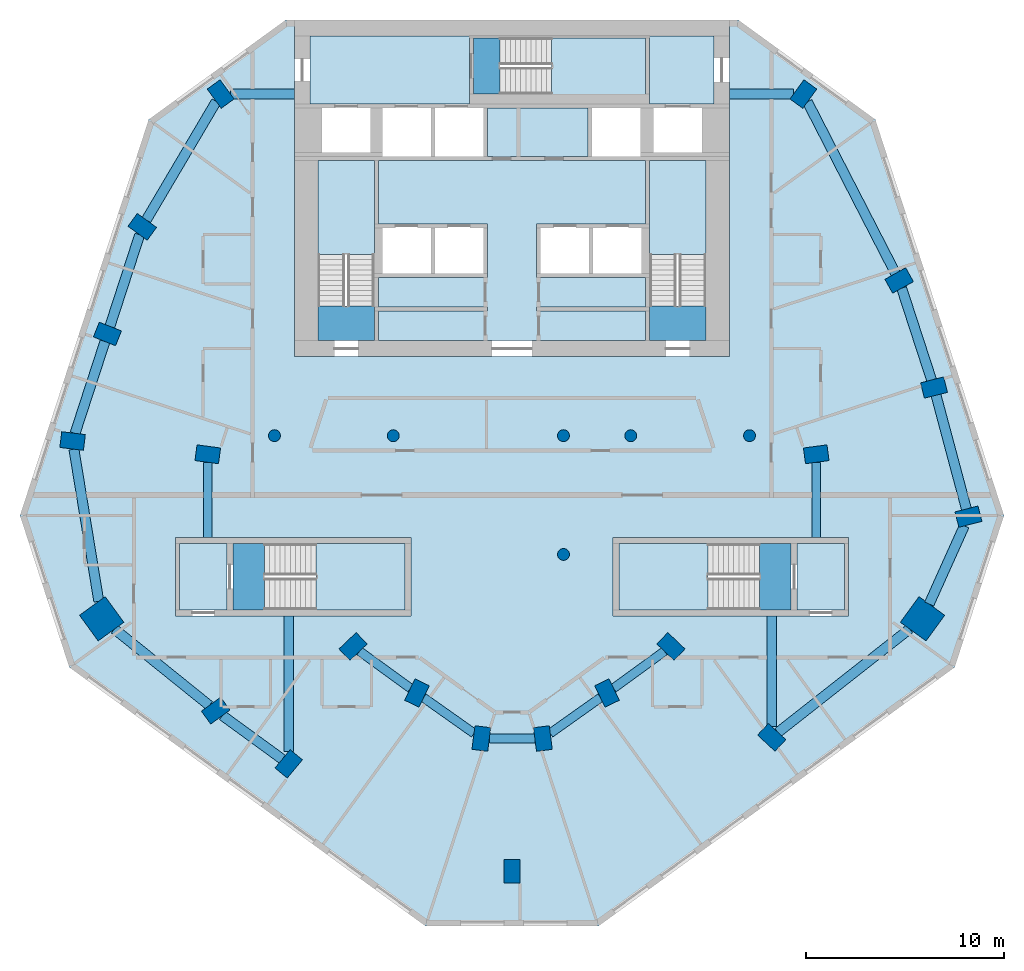
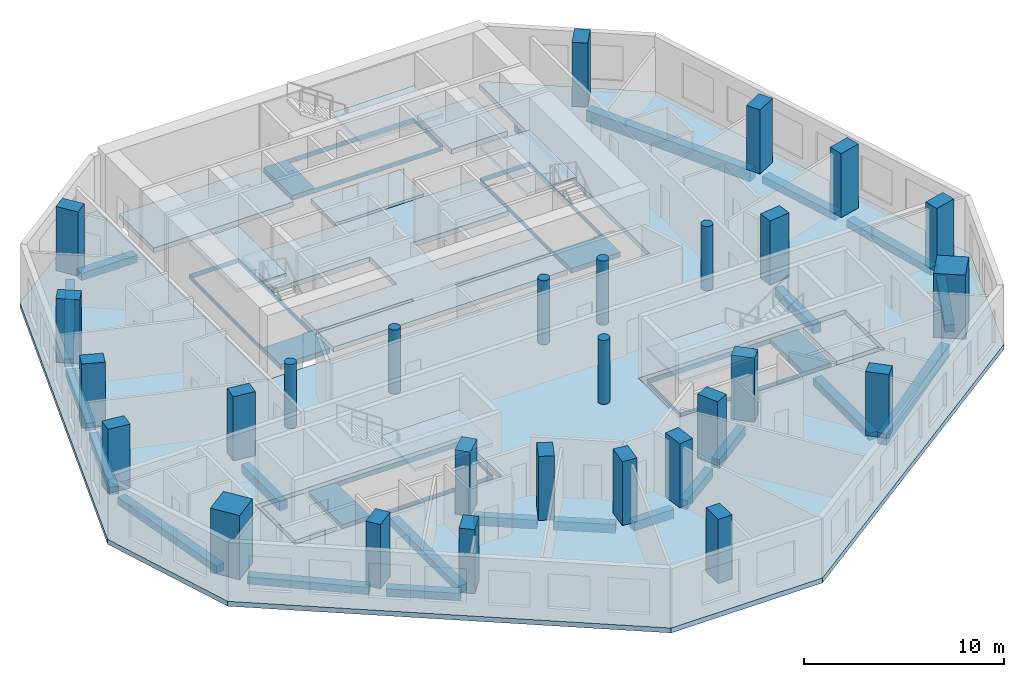
# One storey, part 1 of 9: 28 columns, 22 beams, 17 slabs, 5 elements without a shape of their own.
"""IFC4 building model written with IfcOpenShell, lengths in metres."""

from ifc_helpers import new_model, si_unit, direction, frame, origin, origin_2d, place, context, subcontext, project, spatial, polyline, rectangle, circle, outline, extrude, material, layer, layer_set, material_profile, profile_set, type_object, element, aggregate, save


model = new_model("IFC4")

# Units and contexts
model_context = context("Model", 3, precision=1e-05, world=origin(), true_north=direction((0.0, 1.0)))
body_context = subcontext(model_context, "Body", "Model", "MODEL_VIEW")
ifc_project = project(units=[si_unit("LENGTHUNIT", "METRE"), si_unit("AREAUNIT", "SQUARE_METRE"), si_unit("VOLUMEUNIT", "CUBIC_METRE"), si_unit("PLANEANGLEUNIT", "RADIAN"), si_unit("MASSUNIT", "GRAM", prefix="KILO")], contexts=[model_context])

# Site, building, storey
site_placement = place(None, origin())
site = spatial("IfcSite", under=ifc_project, at=site_placement, CompositionType="ELEMENT")
building_placement = place(site_placement, origin())
building = spatial("IfcBuilding", under=site, at=building_placement, Name="White Candle Pilgrim Tower", CompositionType="ELEMENT")
storey_placement = place(building_placement, frame((0.0, 0.0, 216.0)))
storey = spatial("IfcBuildingStorey", under=building, at=storey_placement, Name="L50", CompositionType="ELEMENT", Elevation=216.0)

# Columns
ifc_material_1 = material(Name="Concrete C70/85", Category="concrete")
ifc_material_profile_1 = material_profile(ifc_material_1, circle(Radius=0.300048828125, at=origin_2d()), Name="RC-COL D600")
ifc_profile_set_1 = profile_set([ifc_material_profile_1], Name="Concrete C70/85")
column_type_1 = type_object("IfcColumnType", Name="Interior column RC-COL D600 C70/85", PredefinedType="COLUMN", material=ifc_profile_set_1)
for number, where, z_axis, x_axis, name in (
    (1, (58.0, 67.0, 0.0), (0.0, 0.0, 1.0), (1.0, 0.0, 0.0), "L50 column I01"),
    (2, (64.0, 67.0, 0.0), (0.0, 0.0, 1.0), (1.0, 0.0, 0.0), "L50 column I02"),
    (3, (72.60009765625, 61.0, 0.0), (0.0, 0.0, 1.0), (1.0, 0.0, 0.0), "L50 column I03"),
    (4, (72.60009765625, 67.0, 0.0), (0.0, 0.0, 1.0), (1.0, 0.0, 0.0), "L50 column I04"),
    (5, (76.0, 67.0, 0.0), (0.0, 0.0, 1.0), (1.0, 0.0, 0.0), "L50 column I05"),
    (6, (82.0, 67.0, 0.0), (0.0, 0.0, 1.0), (1.0, 0.0, 0.0), "L50 column I06"),
):
    element("IfcColumn", number, at=place(storey_placement, frame(where, z_axis=z_axis, x_axis=x_axis)), inside=storey, type_object=column_type_1, Name=name, PredefinedType="COLUMN", context=body_context, shape_type="SweptSolid", body=[
        extrude(circle(Radius=0.300048828125, at=origin_2d()), origin(), (0.0, 0.0, 1.0), 3.89990234375),
    ])
ifc_material_profile_2 = material_profile(ifc_material_1, rectangle(XDim=1.60009765625, YDim=1.60009765625, at=origin_2d()), Name="RC 1600x1600")
ifc_profile_set_2 = profile_set([ifc_material_profile_2], Name="Concrete C70/85")
column_type_2 = type_object("IfcColumnType", Name="Mega column RC 1600x1600 C70/85", PredefinedType="COLUMN", material=ifc_profile_set_2)
for number, where, z_axis, x_axis, name in (
    (7, (49.27001953125, 57.75, 0.0), (0.0, 0.0, 1.0), (-0.809016994375, -0.587785252292, 0.0), "L50 mega column T01"),
    (8, (90.739990234375, 57.75, 0.0), (0.0, 0.0, 1.0), (0.809016994375, -0.587785252292, 0.0), "L50 mega column T06"),
):
    element("IfcColumn", number, at=place(storey_placement, frame(where, z_axis=z_axis, x_axis=x_axis)), inside=storey, type_object=column_type_2, Name=name, PredefinedType="COLUMN", context=body_context, shape_type="SweptSolid", body=[
        extrude(rectangle(XDim=1.60009765625, YDim=1.60009765625, at=origin_2d()), origin(), (0.0, 0.0, 1.0), 3.89990234375),
    ])
ifc_material_profile_3 = material_profile(ifc_material_1, rectangle(XDim=0.800048828125, YDim=1.199951171875, at=origin_2d()), Name="RC-PR 800x1200")
ifc_profile_set_3 = profile_set([ifc_material_profile_3], Name="Concrete C70/85")
column_type_3 = type_object("IfcColumnType", Name="Perimeter column RC-PR 800x1200 C70/85", PredefinedType="COLUMN", material=ifc_profile_set_3)
for number, where, z_axis, x_axis, name in (
    (9, (55.030029296875, 53.110107421875, 0.0), (0.0, 0.0, 1.0), (-0.58846280644, 0.808524288711, 0.0), "L50 column T02"),
    (10, (58.719970703125, 50.419921875, 0.0), (0.0, 0.0, 1.0), (-0.769310358735, 0.638875239733, 0.0), "L50 column T03"),
    (11, (70.0, 45.0, 0.0), (0.0, 0.0, 1.0), (-1.0, 0.0, 0.0), "L50 column T04"),
    (12, (83.1201171875, 51.760009765625, 0.0), (0.0, 0.0, 1.0), (-0.681998360062, -0.731353701619, 0.0), "L50 column T05"),
    (13, (93.06005859375, 62.909912109375, 0.0), (0.0, 0.0, 1.0), (0.246880623275, -0.969045900797, 0.0), "L50 column T07"),
    (14, (91.320068359375, 69.429931640625, 0.0), (0.0, 0.0, 1.0), (0.246880623275, -0.969045900797, 0.0), "L50 column T08"),
    (15, (89.56005859375, 74.840087890625, 0.0), (0.0, 0.0, 1.0), (0.484809620246, -0.874619707139, 0.0), "L50 column T09"),
    (16, (84.719970703125, 84.260009765625, 0.0), (0.0, 0.0, 1.0), (0.80902725304, -0.587771132193, 0.0), "L50 column T10"),
    (17, (55.280029296875, 84.260009765625, 0.0), (0.0, 0.0, 1.0), (0.80902725304, 0.587771132193, 0.0), "L50 column T11"),
    (18, (51.320068359375, 77.550048828125, 0.0), (0.0, 0.0, 1.0), (0.587107285614, 0.809509132239, 0.0), "L50 column T12"),
    (19, (49.56005859375, 72.139892578125, 0.0), (0.0, 0.0, 1.0), (0.369860269472, 0.929087391512, 0.0), "L50 column T13"),
    (20, (47.800048828125, 66.72998046875, 0.0), (0.0, 0.0, 1.0), (0.121869343405, 0.992546151641, 0.0), "L50 column T14"),
):
    element("IfcColumn", number, at=place(storey_placement, frame(where, z_axis=z_axis, x_axis=x_axis)), inside=storey, type_object=column_type_3, Name=name, PredefinedType="COLUMN", context=body_context, shape_type="SweptSolid", body=[
        extrude(rectangle(XDim=0.800048828125, YDim=1.199951171875, at=origin_2d()), origin(), (0.0, 0.0, 1.0), 3.89990234375),
    ])
ifc_material_profile_4 = material_profile(ifc_material_1, rectangle(XDim=0.800048828125, YDim=1.199951171875, at=origin_2d()), Name="RC-PR 800x1200")
ifc_profile_set_4 = profile_set([ifc_material_profile_4], Name="Concrete C70/85")
column_type_4 = type_object("IfcColumnType", Name="Ring column RC-PR 800x1200 C70/85", PredefinedType="COLUMN", material=ifc_profile_set_4)
for number, where, z_axis, x_axis, name in (
    (21, (61.969970703125, 56.35009765625, 0.0), (0.0, 0.0, 1.0), (-0.689872285383, 0.723931094691, 0.0), "L50 column R01"),
    (22, (65.199951171875, 54.0, 0.0), (0.0, 0.0, 1.0), (-0.901689191761, 0.43238478403, 0.0), "L50 column R02"),
    (23, (68.449951171875, 51.699951171875, 0.0), (0.0, 0.0, 1.0), (-0.992092811428, 0.125506388335, 0.0), "L50 column R03"),
    (24, (71.56005859375, 51.699951171875, 0.0), (0.0, 0.0, 1.0), (-0.992092811428, -0.125506388335, 0.0), "L50 column R04"),
    (25, (74.800048828125, 54.0, 0.0), (0.0, 0.0, 1.0), (-0.901689191761, -0.43238478403, 0.0), "L50 column R05"),
    (26, (78.030029296875, 56.35009765625, 0.0), (0.0, 0.0, 1.0), (-0.689872285383, -0.723931094691, 0.0), "L50 column R06"),
    (27, (85.3701171875, 66.06005859375, 0.0), (0.0, 0.0, 1.0), (0.132602381688, -0.991169313675, 0.0), "L50 column R07"),
    (28, (54.6298828125, 66.06005859375, 0.0), (0.0, 0.0, 1.0), (0.132602381688, 0.991169313675, 0.0), "L50 column R08"),
):
    element("IfcColumn", number, at=place(storey_placement, frame(where, z_axis=z_axis, x_axis=x_axis)), inside=storey, type_object=column_type_4, Name=name, PredefinedType="COLUMN", context=body_context, shape_type="SweptSolid", body=[
        extrude(rectangle(XDim=0.800048828125, YDim=1.199951171875, at=origin_2d()), origin(), (0.0, 0.0, 1.0), 3.89990234375),
    ])

# Beams
ifc_material_2 = material(Name="Concrete C50/60", Category="concrete")
ifc_material_profile_5 = material_profile(ifc_material_2, rectangle(XDim=0.449951171875, YDim=0.550048828125, at=origin_2d()), Name="RC-BM 450x550")
ifc_profile_set_5 = profile_set([ifc_material_profile_5], Name="Concrete C50/60")
beam_type_1 = type_object("IfcBeamType", Name="Ring beam RC-BM 450x550 C50/60", PredefinedType="BEAM", material=ifc_profile_set_5)
beam_1_placement = place(storey_placement, frame((62.298828125, 56.11083984375, -0.574951171875), z_axis=(0.808609951168, -0.588345091653, 0.0), x_axis=(0.588345091653, 0.808609951168, 0.0)))
element("IfcBeam", 29, at=beam_1_placement, inside=storey, type_object=beam_type_1, Name="L50 ring beam R01", PredefinedType="BEAM", context=body_context, shape_type="SweptSolid", body=[
    extrude(rectangle(XDim=0.449951171875, YDim=0.550048828125, at=origin_2d()), origin(), (0.0, 0.0, 1.0), 3.18115234375),
])
beam_2_placement = place(storey_placement, frame((65.53125, 53.765625, -0.574951171875), z_axis=(0.816256463166, -0.577689697277, 0.0), x_axis=(0.577689697277, 0.816256463166, 0.0)))
element("IfcBeam", 30, at=beam_2_placement, inside=storey, type_object=beam_type_1, Name="L50 ring beam R02", PredefinedType="BEAM", context=body_context, shape_type="SweptSolid", body=[
    extrude(rectangle(XDim=0.449951171875, YDim=0.550048828125, at=origin_2d()), origin(), (0.0, 0.0, 1.0), 3.122314453125),
])
beam_3_placement = place(storey_placement, frame((68.853271484375, 51.699951171875, -0.574951171875), z_axis=(1.0, 0.0, 0.0), x_axis=(0.0, 1.0, 0.0)))
element("IfcBeam", 31, at=beam_3_placement, inside=storey, type_object=beam_type_1, Name="L50 ring beam R03", PredefinedType="BEAM", context=body_context, shape_type="SweptSolid", body=[
    extrude(rectangle(XDim=0.449951171875, YDim=0.550048828125, at=origin_2d()), origin(), (0.0, 0.0, 1.0), 2.303466796875),
])
beam_4_placement = place(storey_placement, frame((71.929931640625, 51.962646484375, -0.574951171875), z_axis=(0.815419993855, 0.578869789868, 0.0), x_axis=(-0.578869789868, 0.815419993855, 0.0)))
element("IfcBeam", 32, at=beam_4_placement, inside=storey, type_object=beam_type_1, Name="L50 ring beam R04", PredefinedType="BEAM", context=body_context, shape_type="SweptSolid", body=[
    extrude(rectangle(XDim=0.449951171875, YDim=0.550048828125, at=origin_2d()), origin(), (0.0, 0.0, 1.0), 3.11376953125),
])
beam_5_placement = place(storey_placement, frame((75.12890625, 54.2392578125, -0.574951171875), z_axis=(0.808609951168, 0.588345091653, 0.0), x_axis=(-0.588345091653, 0.808609951168, 0.0)))
element("IfcBeam", 33, at=beam_5_placement, inside=storey, type_object=beam_type_1, Name="L50 ring beam R05", PredefinedType="BEAM", context=body_context, shape_type="SweptSolid", body=[
    extrude(rectangle(XDim=0.449951171875, YDim=0.550048828125, at=origin_2d()), origin(), (0.0, 0.0, 1.0), 3.18115234375),
])
for number, where, z_axis, x_axis, name in (
    (34, (85.3701171875, 65.656494140625, -0.574951171875), (0.0, -1.0, 0.0), (1.0, 0.0, 0.0), "L50 ring beam R06"),
    (35, (54.6298828125, 65.656494140625, -0.574951171875), (0.0, -1.0, 0.0), (1.0, 0.0, 0.0), "L50 ring beam R07"),
):
    element("IfcBeam", number, at=place(storey_placement, frame(where, z_axis=z_axis, x_axis=x_axis)), inside=storey, type_object=beam_type_1, Name=name, PredefinedType="BEAM", context=body_context, shape_type="SweptSolid", body=[
        extrude(rectangle(XDim=0.449951171875, YDim=0.550048828125, at=origin_2d()), origin(), (0.0, 0.0, 1.0), 3.806396484375),
    ])
ifc_material_profile_6 = material_profile(ifc_material_2, rectangle(XDim=0.5, YDim=0.449951171875, at=origin_2d()), Name="RC-BM 500x450")
ifc_profile_set_6 = profile_set([ifc_material_profile_6], Name="Concrete C50/60")
beam_type_2 = type_object("IfcBeamType", Name="Spandrel beam RC-BM 500x450 C50/60", PredefinedType="BEAM", material=ifc_profile_set_6)
beam_6_placement = place(storey_placement, frame((49.915283203125, 57.22998046875, -0.52490234375), z_axis=(0.778778136726, -0.62729946099, 0.0), x_axis=(0.62729946099, 0.778778136726, 0.0)))
element("IfcBeam", 36, at=beam_6_placement, inside=storey, type_object=beam_type_2, Name="L50 spandrel beam T01", PredefinedType="BEAM", context=body_context, shape_type="SweptSolid", body=[
    extrude(rectangle(XDim=0.5, YDim=0.449951171875, at=origin_2d()), origin(), (0.0, 0.0, 1.0), 6.153564453125),
])
beam_7_placement = place(storey_placement, frame((55.36962890625, 52.8623046875, -0.52490234375), z_axis=(0.808061834145, -0.58909767628, 0.0), x_axis=(0.58909767628, 0.808061834145, 0.0)))
element("IfcBeam", 37, at=beam_7_placement, inside=storey, type_object=beam_type_2, Name="L50 spandrel beam T02", PredefinedType="BEAM", context=body_context, shape_type="SweptSolid", body=[
    extrude(rectangle(XDim=0.5, YDim=0.449951171875, at=origin_2d()), origin(), (0.0, 0.0, 1.0), 3.7451171875),
])
beam_8_placement = place(storey_placement, frame((58.719970703125, 51.046142578125, -0.52490234375), z_axis=(0.0, 1.0, 0.0), x_axis=(-1.0, 0.0, 0.0)))
element("IfcBeam", 38, at=beam_8_placement, inside=storey, type_object=beam_type_2, Name="L50 spandrel beam T03", PredefinedType="BEAM", context=body_context, shape_type="SweptSolid", body=[
    extrude(rectangle(XDim=0.5, YDim=0.449951171875, at=origin_2d()), origin(), (0.0, 0.0, 1.0), 6.853759765625),
])
beam_9_placement = place(storey_placement, frame((83.1201171875, 52.306884765625, -0.52490234375), z_axis=(0.0, 1.0, 0.0), x_axis=(-1.0, 0.0, 0.0)))
element("IfcBeam", 39, at=beam_9_placement, inside=storey, type_object=beam_type_2, Name="L50 spandrel beam T04", PredefinedType="BEAM", context=body_context, shape_type="SweptSolid", body=[
    extrude(rectangle(XDim=0.5, YDim=0.449951171875, at=origin_2d()), origin(), (0.0, 0.0, 1.0), 5.593017578125),
])
beam_10_placement = place(storey_placement, frame((91.0751953125, 58.495361328125, -0.52490234375), z_axis=(0.410043403319, 0.912066010437, 0.0), x_axis=(-0.912066010437, 0.410043403319, 0.0)))
element("IfcBeam", 40, at=beam_10_placement, inside=storey, type_object=beam_type_2, Name="L50 spandrel beam T06", PredefinedType="BEAM", context=body_context, shape_type="SweptSolid", body=[
    extrude(rectangle(XDim=0.5, YDim=0.449951171875, at=origin_2d()), origin(), (0.0, 0.0, 1.0), 4.3291015625),
])
beam_11_placement = place(storey_placement, frame((92.956787109375, 63.29638671875, -0.52490234375), z_axis=(-0.257841470678, 0.966187236512, 0.0), x_axis=(-0.966187236512, -0.257841470678, 0.0)))
element("IfcBeam", 41, at=beam_11_placement, inside=storey, type_object=beam_type_2, Name="L50 spandrel beam T07", PredefinedType="BEAM", context=body_context, shape_type="SweptSolid", body=[
    extrude(rectangle(XDim=0.5, YDim=0.449951171875, at=origin_2d()), origin(), (0.0, 0.0, 1.0), 5.9482421875),
])
beam_12_placement = place(storey_placement, frame((91.196044921875, 69.811279296875, -0.52490234375), z_axis=(-0.309391453236, 0.950934765725, 0.0), x_axis=(-0.950934765725, -0.309391453236, 0.0)))
element("IfcBeam", 42, at=beam_12_placement, inside=storey, type_object=beam_type_2, Name="L50 spandrel beam T08", PredefinedType="BEAM", context=body_context, shape_type="SweptSolid", body=[
    extrude(rectangle(XDim=0.5, YDim=0.449951171875, at=origin_2d()), origin(), (0.0, 0.0, 1.0), 4.880615234375),
])
for number, where, z_axis, x_axis, name in (
    (43, (84.2255859375, 84.260009765625, -0.52490234375), (-1.0, 0.0, 0.0), (0.0, -1.0, 0.0), "L50 spandrel beam T10"),
    (44, (55.7744140625, 84.260009765625, -0.52490234375), (1.0, 0.0, 0.0), (0.0, 1.0, 0.0), "L50 spandrel beam T11"),
):
    element("IfcBeam", number, at=place(storey_placement, frame(where, z_axis=z_axis, x_axis=x_axis)), inside=storey, type_object=beam_type_2, Name=name, PredefinedType="BEAM", context=body_context, shape_type="SweptSolid", body=[
        extrude(rectangle(XDim=0.5, YDim=0.449951171875, at=origin_2d()), origin(), (0.0, 0.0, 1.0), 3.2255859375),
    ])
beam_13_placement = place(storey_placement, frame((55.058349609375, 83.884521484375, -0.52490234375), z_axis=(-0.508250169427, -0.861209478163, 0.0), x_axis=(0.861209478163, -0.508250169427, 0.0)))
element("IfcBeam", 45, at=beam_13_placement, inside=storey, type_object=beam_type_2, Name="L50 spandrel beam T12", PredefinedType="BEAM", context=body_context, shape_type="SweptSolid", body=[
    extrude(rectangle(XDim=0.5, YDim=0.449951171875, at=origin_2d()), origin(), (0.0, 0.0, 1.0), 6.95361328125),
])
beam_14_placement = place(storey_placement, frame((51.18994140625, 77.150146484375, -0.52490234375), z_axis=(-0.30935824251, -0.950945570362, 0.0), x_axis=(0.950945570362, -0.30935824251, 0.0)))
element("IfcBeam", 46, at=beam_14_placement, inside=storey, type_object=beam_type_2, Name="L50 spandrel beam T13", PredefinedType="BEAM", context=body_context, shape_type="SweptSolid", body=[
    extrude(rectangle(XDim=0.5, YDim=0.449951171875, at=origin_2d()), origin(), (0.0, 0.0, 1.0), 4.86767578125),
])
beam_15_placement = place(storey_placement, frame((49.43603515625, 71.7587890625, -0.52490234375), z_axis=(-0.309376736615, -0.950939553726, 0.0), x_axis=(0.950939553726, -0.309376736615, 0.0)))
element("IfcBeam", 47, at=beam_15_placement, inside=storey, type_object=beam_type_2, Name="L50 spandrel beam T14", PredefinedType="BEAM", context=body_context, shape_type="SweptSolid", body=[
    extrude(rectangle(XDim=0.5, YDim=0.449951171875, at=origin_2d()), origin(), (0.0, 0.0, 1.0), 4.880859375),
])
beam_16_placement = place(storey_placement, frame((47.8671875, 66.318603515625, -0.52490234375), z_axis=(0.161556298314, -0.986863497387, 0.0), x_axis=(0.986863497387, 0.161556298314, 0.0)))
element("IfcBeam", 48, at=beam_16_placement, inside=storey, type_object=beam_type_2, Name="L50 spandrel beam T15", PredefinedType="BEAM", context=body_context, shape_type="SweptSolid", body=[
    extrude(rectangle(XDim=0.5, YDim=0.449951171875, at=origin_2d()), origin(), (0.0, 0.0, 1.0), 7.787109375),
])
ifc_material_profile_7 = material_profile(ifc_material_2, rectangle(XDim=0.5, YDim=0.699951171875, at=origin_2d()), Name="RC-BM 500x700")
ifc_profile_set_7 = profile_set([ifc_material_profile_7], Name="Concrete C50/60")
beam_type_3 = type_object("IfcBeamType", Name="Spandrel beam RC-BM 500x700 C50/60", PredefinedType="BEAM", material=ifc_profile_set_7)
beam_17_placement = place(storey_placement, frame((83.438232421875, 52.01025390625, -0.64990234375), z_axis=(0.786178058268, 0.618000049109, 0.0), x_axis=(-0.618000049109, 0.786178058268, 0.0)))
element("IfcBeam", 49, at=beam_17_placement, inside=storey, type_object=beam_type_3, Name="L50 spandrel beam T05", PredefinedType="BEAM", context=body_context, shape_type="SweptSolid", body=[
    extrude(rectangle(XDim=0.5, YDim=0.699951171875, at=origin_2d()), origin(), (0.0, 0.0, 1.0), 8.4560546875),
])
beam_18_placement = place(storey_placement, frame((89.377197265625, 75.196044921875, -0.64990234375), z_axis=(-0.457020130081, 0.889456351206, 0.0), x_axis=(-0.889456351206, -0.457020130081, 0.0)))
element("IfcBeam", 50, at=beam_18_placement, inside=storey, type_object=beam_type_3, Name="L50 spandrel beam T09", PredefinedType="BEAM", context=body_context, shape_type="SweptSolid", body=[
    extrude(rectangle(XDim=0.5, YDim=0.699951171875, at=origin_2d()), origin(), (0.0, 0.0, 1.0), 9.7421875),
])

# Slabs
ifc_material_3 = material(Name="Concrete C40/50", Category="concrete")
ifc_layer_1 = layer(ifc_material_3, 0.300048828125)
ifc_layer_set_1 = layer_set([ifc_layer_1], Name="Core floor slab 300 mm Concrete C40/50")
slab_type_1 = type_object("IfcSlabType", Name="Core floor slab 300 mm Concrete C40/50", PredefinedType="FLOOR", material=ifc_layer_set_1)
slab_1_placement = place(storey_placement, frame((0.0, 0.0, -0.300048828125)))
element("IfcSlab", 51, at=slab_1_placement, inside=storey, type_object=slab_type_1, Name="CF-L50-01", PredefinedType="FLOOR", context=body_context, shape_type="SweptSolid", body=[
    extrude(outline(polyline([(55.60009765625, 58.199951171875), (53.199951171875, 58.199951171875), (53.199951171875, 61.550048828125), (55.60009765625, 61.550048828125), (55.60009765625, 58.199951171875)])), origin(), (0.0, 0.0, 1.0), 0.300048828125),
])
slab_2_placement = place(storey_placement, frame((0.0, 0.0, -0.300048828125)))
element("IfcSlab", 52, at=slab_2_placement, inside=storey, type_object=slab_type_1, Name="CF-L50-02", PredefinedType="FLOOR", context=body_context, shape_type="SweptSolid", body=[
    extrude(outline(polyline([(55.89990234375, 58.199951171875), (55.89990234375, 61.550048828125), (64.60009765625, 61.550048828125), (64.60009765625, 58.199951171875), (55.89990234375, 58.199951171875)]), holes=[polyline([(57.501953125, 61.548095703125), (57.501953125, 58.201904296875), (64.597900390625, 58.201904296875), (64.597900390625, 61.548095703125), (57.501953125, 61.548095703125)])]), origin(), (0.0, 0.0, 1.0), 0.300048828125),
])
slab_3_placement = place(storey_placement, frame((0.0, 0.0, -0.300048828125)))
element("IfcSlab", 53, at=slab_3_placement, inside=storey, type_object=slab_type_1, Name="CF-L50-03", PredefinedType="FLOOR", context=body_context, shape_type="SweptSolid", body=[
    extrude(outline(polyline([(75.39990234375, 58.199951171875), (75.39990234375, 61.550048828125), (84.10009765625, 61.550048828125), (84.10009765625, 58.199951171875), (75.39990234375, 58.199951171875)]), holes=[polyline([(82.498046875, 58.201904296875), (82.498046875, 61.548095703125), (75.402099609375, 61.548095703125), (75.402099609375, 58.201904296875), (82.498046875, 58.201904296875)])]), origin(), (0.0, 0.0, 1.0), 0.300048828125),
])
slab_4_placement = place(storey_placement, frame((0.0, 0.0, -0.300048828125)))
element("IfcSlab", 54, at=slab_4_placement, inside=storey, type_object=slab_type_1, Name="CF-L50-04", PredefinedType="FLOOR", context=body_context, shape_type="SweptSolid", body=[
    extrude(outline(polyline([(86.800048828125, 58.199951171875), (84.39990234375, 58.199951171875), (84.39990234375, 61.550048828125), (86.800048828125, 61.550048828125), (86.800048828125, 58.199951171875)])), origin(), (0.0, 0.0, 1.0), 0.300048828125),
])
slab_5_placement = place(storey_placement, frame((0.0, 0.0, -0.300048828125)))
element("IfcSlab", 55, at=slab_5_placement, inside=storey, type_object=slab_type_1, Name="CF-L50-05", PredefinedType="FLOOR", context=body_context, shape_type="SweptSolid", body=[
    extrude(outline(polyline([(76.949951171875, 71.800048828125), (76.949951171875, 73.300048828125), (76.949951171875, 73.5), (76.949951171875, 75.0), (76.949951171875, 75.199951171875), (76.949951171875, 77.5), (76.949951171875, 77.699951171875), (76.949951171875, 80.89990234375), (79.800048828125, 80.89990234375), (79.800048828125, 71.800048828125), (76.949951171875, 71.800048828125)]), holes=[polyline([(76.951904296875, 73.552001953125), (79.798095703125, 73.552001953125), (79.798095703125, 80.89794921875), (76.951904296875, 80.89794921875), (76.951904296875, 73.552001953125)])]), origin(), (0.0, 0.0, 1.0), 0.300048828125),
])
slab_6_placement = place(storey_placement, frame((0.0, 0.0, -0.300048828125)))
element("IfcSlab", 56, at=slab_6_placement, inside=storey, type_object=slab_type_1, Name="CF-L50-06", PredefinedType="FLOOR", context=body_context, shape_type="SweptSolid", body=[
    extrude(outline(polyline([(63.25, 71.800048828125), (63.25, 73.300048828125), (68.75, 73.300048828125), (68.75, 73.5), (63.25, 73.5), (63.25, 75.0), (68.75, 75.0), (68.75, 75.199951171875), (68.75, 77.5), (68.75, 77.699951171875), (63.25, 77.699951171875), (63.25, 80.89990234375), (76.75, 80.89990234375), (76.75, 77.699951171875), (71.25, 77.699951171875), (71.25, 77.5), (71.25, 75.199951171875), (71.25, 75.0), (76.75, 75.0), (76.75, 73.5), (71.25, 73.5), (71.25, 73.300048828125), (76.75, 73.300048828125), (76.75, 71.800048828125), (63.25, 71.800048828125)])), origin(), (0.0, 0.0, 1.0), 0.300048828125),
])
slab_7_placement = place(storey_placement, frame((0.0, 0.0, -0.300048828125)))
element("IfcSlab", 57, at=slab_7_placement, inside=storey, type_object=slab_type_1, Name="CF-L50-07", PredefinedType="FLOOR", context=body_context, shape_type="SweptSolid", body=[
    extrude(outline(polyline([(60.199951171875, 71.800048828125), (60.199951171875, 80.89990234375), (63.050048828125, 80.89990234375), (63.050048828125, 77.699951171875), (63.050048828125, 77.5), (63.050048828125, 75.199951171875), (63.050048828125, 75.0), (63.050048828125, 73.5), (63.050048828125, 73.300048828125), (63.050048828125, 71.800048828125), (60.199951171875, 71.800048828125)]), holes=[polyline([(60.201904296875, 73.552001953125), (63.048095703125, 73.552001953125), (63.048095703125, 80.89794921875), (60.201904296875, 80.89794921875), (60.201904296875, 73.552001953125)])]), origin(), (0.0, 0.0, 1.0), 0.300048828125),
])
slab_8_placement = place(storey_placement, frame((0.0, 0.0, -0.300048828125)))
element("IfcSlab", 58, at=slab_8_placement, inside=storey, type_object=slab_type_1, Name="CF-L50-08", PredefinedType="FLOOR", context=body_context, shape_type="SweptSolid", body=[
    extrude(outline(polyline([(59.800048828125, 87.199951171875), (67.85009765625, 87.199951171875), (67.85009765625, 87.10009765625), (67.85009765625, 84.25), (67.85009765625, 83.75), (59.800048828125, 83.75), (59.800048828125, 87.199951171875)])), origin(), (0.0, 0.0, 1.0), 0.300048828125),
])
slab_9_placement = place(storey_placement, frame((0.0, 0.0, -0.300048828125)))
element("IfcSlab", 59, at=slab_9_placement, inside=storey, type_object=slab_type_1, Name="CF-L50-09", PredefinedType="FLOOR", context=body_context, shape_type="SweptSolid", body=[
    extrude(outline(polyline([(80.199951171875, 87.199951171875), (80.199951171875, 83.75), (76.949951171875, 83.75), (76.949951171875, 84.25), (76.949951171875, 87.10009765625), (76.949951171875, 87.199951171875), (80.199951171875, 87.199951171875)])), origin(), (0.0, 0.0, 1.0), 0.300048828125),
])
slab_10_placement = place(storey_placement, frame((0.0, 0.0, -0.300048828125)))
element("IfcSlab", 60, at=slab_10_placement, inside=storey, type_object=slab_type_1, Name="CF-L50-10", PredefinedType="FLOOR", context=body_context, shape_type="SweptSolid", body=[
    extrude(outline(polyline([(68.050048828125, 87.10009765625), (76.75, 87.10009765625), (76.75, 84.25), (68.050048828125, 84.25), (68.050048828125, 87.10009765625)]), holes=[polyline([(69.402099609375, 87.097900390625), (69.402099609375, 84.251953125), (76.748046875, 84.251953125), (76.748046875, 87.097900390625), (69.402099609375, 87.097900390625)])]), origin(), (0.0, 0.0, 1.0), 0.300048828125),
])
slab_11_placement = place(storey_placement, frame((0.0, 0.0, -0.300048828125)))
element("IfcSlab", 61, at=slab_11_placement, inside=storey, type_object=slab_type_1, Name="CF-L50-11", PredefinedType="FLOOR", context=body_context, shape_type="SweptSolid", body=[
    extrude(outline(polyline([(73.85009765625, 83.550048828125), (73.85009765625, 81.10009765625), (68.75, 81.10009765625), (68.75, 83.550048828125), (73.85009765625, 83.550048828125)])), origin(), (0.0, 0.0, 1.0), 0.300048828125),
])
ifc_layer_2 = layer(ifc_material_3, 0.300048828125)
ifc_layer_set_2 = layer_set([ifc_layer_2], Name="Floor slab 300 REI 120")
slab_type_2 = type_object("IfcSlabType", Name="Floor slab 300 REI 120", PredefinedType="FLOOR", material=ifc_layer_set_2)
slab_12_placement = place(storey_placement, frame((0.0, 0.0, -0.300048828125)))
element("IfcSlab", 62, at=slab_12_placement, inside=storey, type_object=slab_type_2, Name="L50 floor slab", PredefinedType="FLOOR", context=body_context, shape_type="SweptSolid", body=[
    extrude(outline(polyline([(65.63525390625, 42.219482421875), (74.36474609375, 42.219482421875), (92.364990234375, 55.29736328125), (94.85595703125, 62.96337890625), (88.353759765625, 82.974609375), (81.43701171875, 88.0), (81.0, 88.0), (81.0, 71.0), (59.0, 71.0), (59.0, 88.0), (58.56298828125, 88.0), (51.646240234375, 82.974609375), (45.14404296875, 62.96337890625), (47.635009765625, 55.29736328125), (65.63525390625, 42.219482421875)]), holes=[polyline([(53.0, 57.89990234375), (53.0, 61.85009765625), (64.89990234375, 61.85009765625), (64.89990234375, 57.89990234375), (53.0, 57.89990234375)]), polyline([(75.10009765625, 57.89990234375), (75.10009765625, 61.85009765625), (87.0, 61.85009765625), (87.0, 57.89990234375), (75.10009765625, 57.89990234375)])]), origin(), (0.0, 0.0, 1.0), 0.300048828125),
])

# Stair, slab
stair_type_1 = type_object("IfcStairType", Name="Exit stair 1 flight width 1350 mm", PredefinedType="HALF_TURN_STAIR", material=ifc_material_3)
stair_1_placement = place(storey_placement, origin())
stair_1 = element("IfcStair", 63, at=stair_1_placement, inside=storey, type_object=stair_type_1, Name="L50 stair 1", PredefinedType="NOTDEFINED")
ifc_layer_3 = layer(ifc_material_3, 0.199951171875)
ifc_layer_set_3 = layer_set([ifc_layer_3], Name="Stair landing Concrete C40/50")
slab_type_3 = type_object("IfcSlabType", Name="Stair landing Concrete C40/50", PredefinedType="LANDING", material=ifc_layer_set_3)
slab_13_placement = place(storey_placement, frame((0.0, 0.0, 1.75)))
slab_13 = element("IfcSlab", 64, at=slab_13_placement, type_object=slab_type_3, Name="ST1 landing 1", PredefinedType="LANDING", context=body_context, shape_type="SweptSolid", body=[
    extrude(outline(polyline([(63.052001953125, 76.14794921875), (60.197998046875, 76.14794921875), (60.197998046875, 80.902099609375), (63.052001953125, 80.902099609375), (63.052001953125, 76.14794921875)])), origin(), (0.0, 0.0, 1.0), 0.199951171875),
])
aggregate(stair_1, [slab_13])

stair_type_2 = type_object("IfcStairType", Name="Exit stair 2 flight width 1350 mm", PredefinedType="HALF_TURN_STAIR", material=ifc_material_3)
stair_2_placement = place(storey_placement, origin())
stair_2 = element("IfcStair", 65, at=stair_2_placement, inside=storey, type_object=stair_type_2, Name="L50 stair 2", PredefinedType="NOTDEFINED")
slab_14_placement = place(storey_placement, frame((0.0, 0.0, 1.75)))
slab_14 = element("IfcSlab", 66, at=slab_14_placement, type_object=slab_type_3, Name="ST2 landing 1", PredefinedType="LANDING", context=body_context, shape_type="SweptSolid", body=[
    extrude(outline(polyline([(79.802001953125, 76.14794921875), (76.947998046875, 76.14794921875), (76.947998046875, 80.902099609375), (79.802001953125, 80.902099609375), (79.802001953125, 76.14794921875)])), origin(), (0.0, 0.0, 1.0), 0.199951171875),
])
aggregate(stair_2, [slab_14])

stair_type_3 = type_object("IfcStairType", Name="Exit stair 3 flight width 1350 mm", PredefinedType="HALF_TURN_STAIR", material=ifc_material_3)
stair_3_placement = place(storey_placement, origin())
stair_3 = element("IfcStair", 67, at=stair_3_placement, inside=storey, type_object=stair_type_3, Name="L50 stair 3", PredefinedType="NOTDEFINED")
slab_15_placement = place(storey_placement, frame((0.0, 0.0, 1.75)))
slab_15 = element("IfcSlab", 68, at=slab_15_placement, type_object=slab_type_3, Name="ST3 landing 1", PredefinedType="LANDING", context=body_context, shape_type="SweptSolid", body=[
    extrude(outline(polyline([(71.998046875, 84.248046875), (71.998046875, 87.10205078125), (76.751953125, 87.10205078125), (76.751953125, 84.248046875), (71.998046875, 84.248046875)])), origin(), (0.0, 0.0, 1.0), 0.199951171875),
])
aggregate(stair_3, [slab_15])

stair_type_4 = type_object("IfcStairType", Name="Exit stair 4 flight width 1600 mm", PredefinedType="HALF_TURN_STAIR", material=ifc_material_3)
stair_4_placement = place(storey_placement, origin())
stair_4 = element("IfcStair", 69, at=stair_4_placement, inside=storey, type_object=stair_type_4, Name="L50 stair 4", PredefinedType="NOTDEFINED")
slab_16_placement = place(storey_placement, frame((0.0, 0.0, 1.75)))
slab_16 = element("IfcSlab", 70, at=slab_16_placement, type_object=slab_type_3, Name="ST4 landing 1", PredefinedType="LANDING", context=body_context, shape_type="SweptSolid", body=[
    extrude(outline(polyline([(79.902099609375, 61.552001953125), (79.902099609375, 58.197998046875), (75.39794921875, 58.197998046875), (75.39794921875, 61.552001953125), (79.902099609375, 61.552001953125)])), origin(), (0.0, 0.0, 1.0), 0.199951171875),
])
aggregate(stair_4, [slab_16])

stair_type_5 = type_object("IfcStairType", Name="Exit stair 5 flight width 1600 mm", PredefinedType="HALF_TURN_STAIR", material=ifc_material_3)
stair_5_placement = place(storey_placement, origin())
stair_5 = element("IfcStair", 71, at=stair_5_placement, inside=storey, type_object=stair_type_5, Name="L50 stair 5", PredefinedType="NOTDEFINED")
slab_17_placement = place(storey_placement, frame((0.0, 0.0, 1.75)))
slab_17 = element("IfcSlab", 72, at=slab_17_placement, type_object=slab_type_3, Name="ST5 landing 1", PredefinedType="LANDING", context=body_context, shape_type="SweptSolid", body=[
    extrude(outline(polyline([(60.097900390625, 58.197998046875), (60.097900390625, 61.552001953125), (64.60205078125, 61.552001953125), (64.60205078125, 58.197998046875), (60.097900390625, 58.197998046875)])), origin(), (0.0, 0.0, 1.0), 0.199951171875),
])
aggregate(stair_5, [slab_17])

save(model, "model.ifc")
